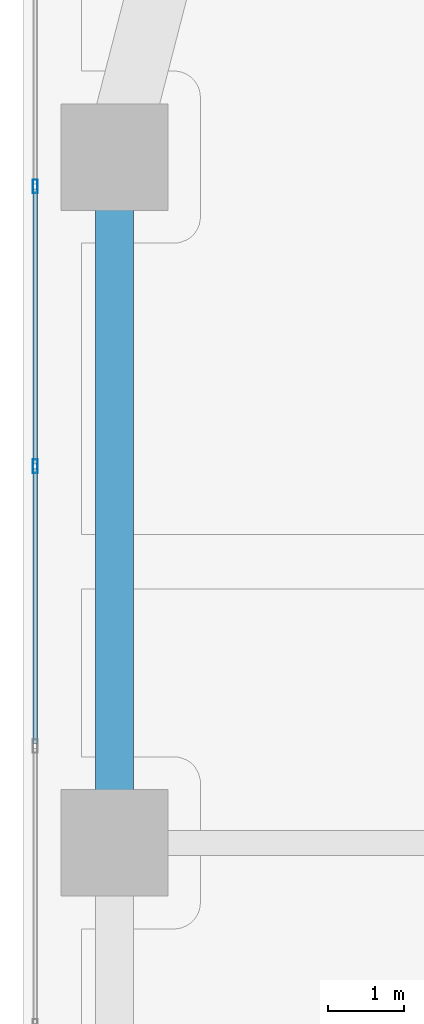
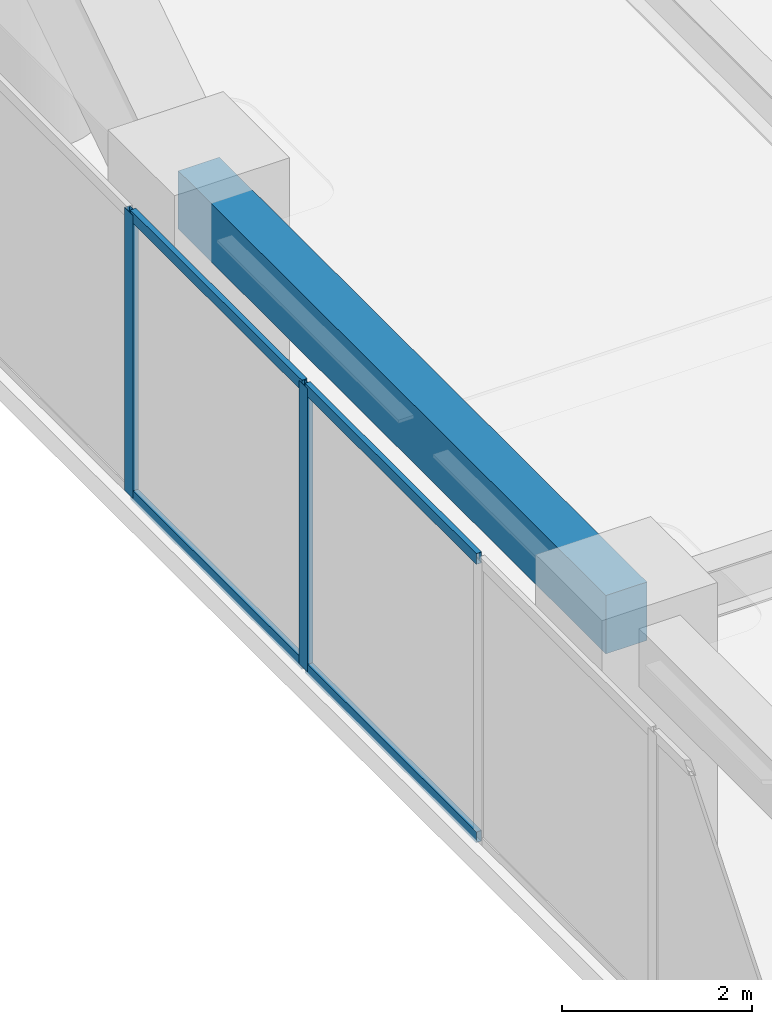
# One storey, part 9 of 24: 6 members, 1 beam, 1 element without a shape of its own.
"""IFC4 building model written with IfcOpenShell, lengths in metres."""

from ifc_helpers import new_model, si_unit, direction, frame, origin, origin_2d, place, context, subcontext, project, spatial, rectangle, hollow_rectangle, extrude, material, layer, layer_set, material_profile, profile_set, type_object, element, aggregate, save


model = new_model("IFC4")

# Units and contexts
model_context = context("Model", 3, precision=1e-05, world=origin(), true_north=direction((0.0, 1.0)))
body_context = subcontext(model_context, "Body", "Model", "MODEL_VIEW")
ifc_project = project(units=[si_unit("LENGTHUNIT", "METRE"), si_unit("AREAUNIT", "SQUARE_METRE"), si_unit("VOLUMEUNIT", "CUBIC_METRE"), si_unit("PLANEANGLEUNIT", "RADIAN"), si_unit("MASSUNIT", "GRAM", prefix="KILO")], contexts=[model_context])

# Site, building, storey
site_placement = place(None, origin())
site = spatial("IfcSite", under=ifc_project, at=site_placement, CompositionType="ELEMENT")
building_placement = place(site_placement, origin())
building = spatial("IfcBuilding", under=site, at=building_placement, Name="Kiyonajd Concourse Tower", CompositionType="ELEMENT")
storey_placement = place(building_placement, frame((0.0, 0.0, 97.5)))
storey = spatial("IfcBuildingStorey", under=building, at=storey_placement, Name="L25", CompositionType="ELEMENT", Elevation=97.5)

# Beam
ifc_material_1 = material(Name="Precast concrete C50/60", Category="concrete")
ifc_material_profile_1 = material_profile(ifc_material_1, rectangle(XDim=0.5, YDim=0.75, at=origin_2d()), Name="RCBM-500x750")
ifc_profile_set_1 = profile_set([ifc_material_profile_1], Name="Precast concrete C50/60")
beam_type = type_object("IfcBeamType", Name="BM-SPAN-RC", PredefinedType="SPANDREL", material=ifc_profile_set_1)
beam_placement = place(storey_placement, frame((19.199951171875, 53.39990234375, 3.264892578125), z_axis=(0.0, -1.0, 0.0), x_axis=(1.0, 0.0, 0.0)))
element("IfcBeam", 1, at=beam_placement, inside=storey, type_object=beam_type, Name="L25 Perimeter Bundled Tube Spandrel", PredefinedType="SPANDREL", context=body_context, shape_type="SweptSolid", body=[
    extrude(rectangle(XDim=0.5, YDim=0.75, at=origin_2d()), origin(), (0.0, 0.0, 1.0), 9.0),
])

# Curtain wall, members
ifc_material_2 = material(Name="Thermally Broken Anodised Aluminium", Category="aluminium")
ifc_layer = layer(ifc_material_2, 0.179931640625)
ifc_layer_set = layer_set([ifc_layer], Name="Thermally Broken Anodised Aluminium")
curtain_wall_type = type_object("IfcCurtainWallType", Name="CW-SYS-03", PredefinedType="NOTDEFINED", material=ifc_layer_set)
curtain_wall_placement = place(storey_placement, origin())
curtain_wall = element("IfcCurtainWall", 2, at=curtain_wall_placement, inside=storey, type_object=curtain_wall_type, Name="L25 Unitised Curtain Wall CW3", PredefinedType="NOTDEFINED")
ifc_material_profile_2 = material_profile(ifc_material_2, hollow_rectangle(XDim=0.06494140625, YDim=0.179931640625, WallThickness=0.00390625, at=origin_2d()), Name="MULL-65x180")
ifc_profile_set_2 = profile_set([ifc_material_profile_2], Name="Thermally Broken Anodised Aluminium")
member_type_1 = type_object("IfcMemberType", Name="MB-CW-MULL1", PredefinedType="MULLION", material=ifc_profile_set_2)
member_1_placement = place(storey_placement, frame((18.159912109375, 49.342529296875, 0.0), z_axis=(0.0, 0.0, 1.0), x_axis=(-1.0, 0.0, 0.0)))
member_1 = element("IfcMember", 3, at=member_1_placement, type_object=member_type_1, Name="CW3 mullion 5", PredefinedType="MULLION", context=body_context, shape_type="SweptSolid", body=[
    extrude(hollow_rectangle(XDim=0.06494140625, YDim=0.179931640625, WallThickness=0.00390625, at=origin_2d()), origin(), (0.0, 0.0, 1.0), 3.639892578125),
])
member_2_placement = place(storey_placement, frame((18.159912109375, 53.015869140625, 0.0), z_axis=(0.0, 0.0, 1.0), x_axis=(-1.0, 0.0, 0.0)))
member_2 = element("IfcMember", 4, at=member_2_placement, type_object=member_type_1, Name="CW3 mullion 6", PredefinedType="MULLION", context=body_context, shape_type="SweptSolid", body=[
    extrude(hollow_rectangle(XDim=0.06494140625, YDim=0.179931640625, WallThickness=0.00390625, at=origin_2d()), origin(), (0.0, 0.0, 1.0), 3.639892578125),
])
ifc_material_profile_3 = material_profile(ifc_material_2, hollow_rectangle(XDim=0.06494140625, YDim=0.139892578125, WallThickness=0.00390625, at=origin_2d()), Name="TRAN-65x140")
ifc_profile_set_3 = profile_set([ifc_material_profile_3], Name="Thermally Broken Anodised Aluminium")
member_type_2 = type_object("IfcMemberType", Name="MB-CW-TRAN1", PredefinedType="USERDEFINED", material=ifc_profile_set_3)
member_3_placement = place(storey_placement, frame((18.159912109375, 45.701904296875, 0.032470703125), z_axis=(0.0, 1.0, 0.0), x_axis=(-1.0, 0.0, 0.0)))
member_3 = element("IfcMember", 5, at=member_3_placement, type_object=member_type_2, Name="CW3 transom 4.1", ObjectType="TRANSOM", PredefinedType="USERDEFINED", context=body_context, shape_type="SweptSolid", body=[
    extrude(hollow_rectangle(XDim=0.06494140625, YDim=0.139892578125, WallThickness=0.00390625, at=origin_2d()), origin(), (0.0, 0.0, 1.0), 3.608154296875),
])
member_4_placement = place(storey_placement, frame((18.159912109375, 45.701904296875, 3.607421875), z_axis=(0.0, 1.0, 0.0), x_axis=(-1.0, 0.0, 0.0)))
member_4 = element("IfcMember", 6, at=member_4_placement, type_object=member_type_2, Name="CW3 transom 4.2", ObjectType="TRANSOM", PredefinedType="USERDEFINED", context=body_context, shape_type="SweptSolid", body=[
    extrude(hollow_rectangle(XDim=0.06494140625, YDim=0.139892578125, WallThickness=0.00390625, at=origin_2d()), origin(), (0.0, 0.0, 1.0), 3.608154296875),
])
member_5_placement = place(storey_placement, frame((18.159912109375, 49.375, 0.032470703125), z_axis=(0.0, 1.0, 0.0), x_axis=(-1.0, 0.0, 0.0)))
member_5 = element("IfcMember", 7, at=member_5_placement, type_object=member_type_2, Name="CW3 transom 5.1", ObjectType="TRANSOM", PredefinedType="USERDEFINED", context=body_context, shape_type="SweptSolid", body=[
    extrude(hollow_rectangle(XDim=0.06494140625, YDim=0.139892578125, WallThickness=0.00390625, at=origin_2d()), origin(), (0.0, 0.0, 1.0), 3.608154296875),
])
member_6_placement = place(storey_placement, frame((18.159912109375, 49.375, 3.607421875), z_axis=(0.0, 1.0, 0.0), x_axis=(-1.0, 0.0, 0.0)))
member_6 = element("IfcMember", 8, at=member_6_placement, type_object=member_type_2, Name="CW3 transom 5.2", ObjectType="TRANSOM", PredefinedType="USERDEFINED", context=body_context, shape_type="SweptSolid", body=[
    extrude(hollow_rectangle(XDim=0.06494140625, YDim=0.139892578125, WallThickness=0.00390625, at=origin_2d()), origin(), (0.0, 0.0, 1.0), 3.608154296875),
])
aggregate(curtain_wall, [member_1, member_2, member_3, member_4, member_5, member_6])

save(model, "model.ifc")
